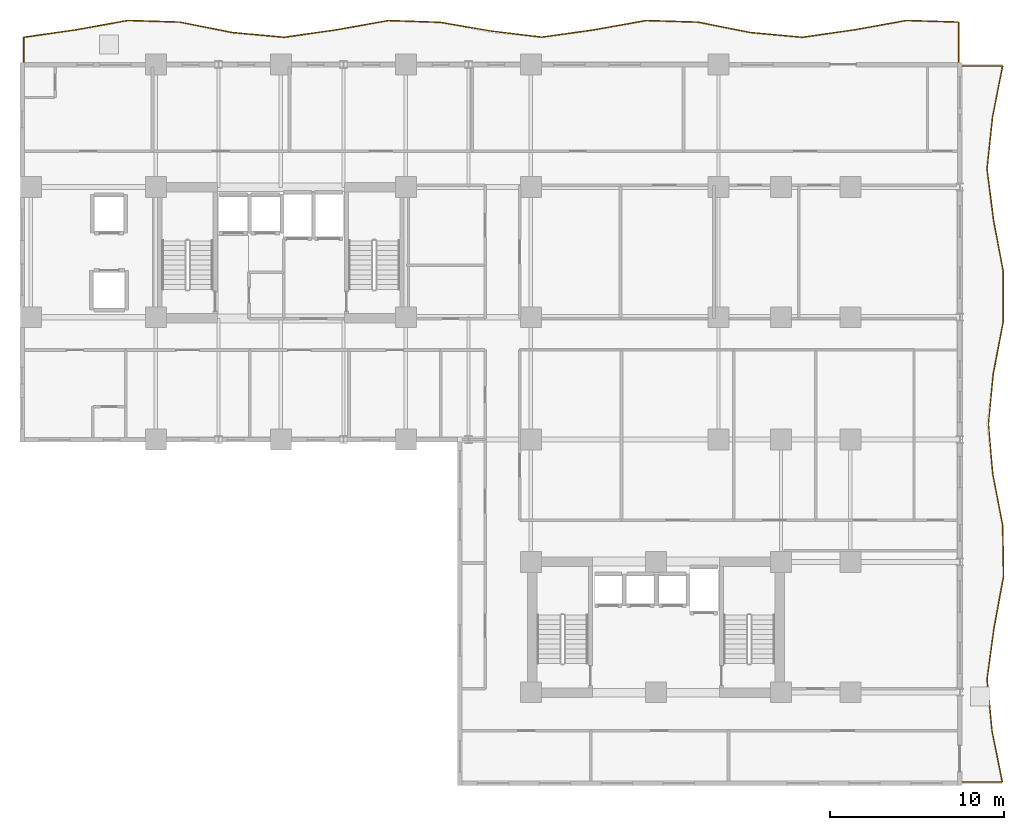
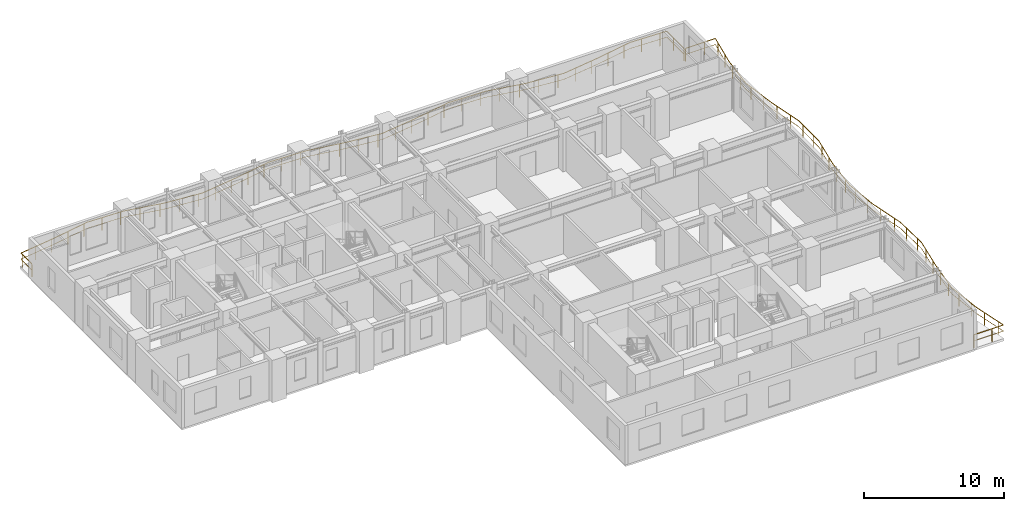
# One storey, part 11 of 11: 2 railings.
"""IFC4 building model written with IfcOpenShell, lengths in metres."""

from ifc_helpers import new_model, si_unit, direction, frame, origin, origin_2d, place, context, subcontext, project, spatial, rectangle, extrude, material, type_object, element, save


model = new_model("IFC4")

# Units and contexts
model_context = context("Model", 3, precision=1e-05, world=origin(), true_north=direction((0.0, 1.0)))
body_context = subcontext(model_context, "Body", "Model", "MODEL_VIEW")
ifc_project = project(units=[si_unit("LENGTHUNIT", "METRE"), si_unit("AREAUNIT", "SQUARE_METRE"), si_unit("VOLUMEUNIT", "CUBIC_METRE"), si_unit("PLANEANGLEUNIT", "RADIAN"), si_unit("MASSUNIT", "GRAM", prefix="KILO")], contexts=[model_context])

# Site, building, storey
site_placement = place(None, origin())
site = spatial("IfcSite", under=ifc_project, at=site_placement, CompositionType="ELEMENT")
building_placement = place(site_placement, origin())
building = spatial("IfcBuilding", under=site, at=building_placement, Name="Kaliganga Portal Commons", CompositionType="ELEMENT")
storey_placement = place(building_placement, frame((0.0, 0.0, 100.800048828125)))
storey = spatial("IfcBuildingStorey", under=building, at=storey_placement, Name="L25", CompositionType="ELEMENT", Elevation=100.800048828125)

# Railings
ifc_material = material(Name="Laminated Safety Glass and Stainless Steel 316", Category="steel")
railing_type = type_object("IfcRailingType", Name="RLG-BAL-1150", PredefinedType="BALUSTRADE", material=ifc_material)
railing_1_placement = place(storey_placement, frame((60.6201171875, 43.20556640625, 0.0)))
element("IfcRailing", 1, at=railing_1_placement, inside=storey, type_object=railing_type, Name="Balcony Guardrail L25 balc_north", PredefinedType="BALUSTRADE", context=body_context, shape_type="SweptSolid", body=[
    extrude(rectangle(XDim=0.048095703125, YDim=0.048095703125, at=origin_2d()), frame((0.0, 0.0, 1.1259765625), z_axis=(0.0, 1.0, 0.0), x_axis=(-1.0, 0.0, 0.0)), (0.0, 0.0, 1.0), 2.441162109375),
    extrude(rectangle(XDim=0.028076171875, YDim=0.028076171875, at=origin_2d()), frame((0.0, 0.0, 0.597900390625), z_axis=(0.0, 1.0, 0.0), x_axis=(-1.0, 0.0, 0.0)), (0.0, 0.0, 1.0), 2.441162109375),
    extrude(rectangle(XDim=0.048095703125, YDim=0.048095703125, at=origin_2d()), frame((0.0, 2.441162109375, 1.1259765625), z_axis=(-0.999501865696, 0.031559791983, 0.0), x_axis=(-0.031559791983, -0.999501865696, 0.0)), (0.0, 0.0, 1.0), 3.00146484375),
    extrude(rectangle(XDim=0.028076171875, YDim=0.028076171875, at=origin_2d()), frame((0.0, 2.441162109375, 0.597900390625), z_axis=(-0.999501865696, 0.031559791983, 0.0), x_axis=(-0.031559791983, -0.999501865696, 0.0)), (0.0, 0.0, 1.0), 3.00146484375),
    extrude(rectangle(XDim=0.048095703125, YDim=0.048095703125, at=origin_2d()), frame((-3.0, 2.535888671875, 1.1259765625), z_axis=(-0.984153147736, -0.177320562263, 0.0), x_axis=(0.177320562263, -0.984153147736, 0.0)), (0.0, 0.0, 1.0), 3.04833984375),
    extrude(rectangle(XDim=0.028076171875, YDim=0.028076171875, at=origin_2d()), frame((-3.0, 2.535888671875, 0.597900390625), z_axis=(-0.984153147736, -0.177320562263, 0.0), x_axis=(0.177320562263, -0.984153147736, 0.0)), (0.0, 0.0, 1.0), 3.04833984375),
    extrude(rectangle(XDim=0.048095703125, YDim=0.048095703125, at=origin_2d()), frame((-6.0, 1.995361328125, 1.1259765625), z_axis=(-0.989954326844, -0.141387519825, 0.0), x_axis=(0.141387519825, -0.989954326844, 0.0)), (0.0, 0.0, 1.0), 3.030517578125),
    extrude(rectangle(XDim=0.028076171875, YDim=0.028076171875, at=origin_2d()), frame((-6.0, 1.995361328125, 0.597900390625), z_axis=(-0.989954326844, -0.141387519825, 0.0), x_axis=(0.141387519825, -0.989954326844, 0.0)), (0.0, 0.0, 1.0), 3.030517578125),
    extrude(rectangle(XDim=0.048095703125, YDim=0.048095703125, at=origin_2d()), frame((-9.0, 1.56689453125, 1.1259765625), z_axis=(-0.995820483332, 0.091332168352, 0.0), x_axis=(-0.091332168352, -0.995820483332, 0.0)), (0.0, 0.0, 1.0), 3.0126953125),
    extrude(rectangle(XDim=0.028076171875, YDim=0.028076171875, at=origin_2d()), frame((-9.0, 1.56689453125, 0.597900390625), z_axis=(-0.995820483332, 0.091332168352, 0.0), x_axis=(-0.091332168352, -0.995820483332, 0.0)), (0.0, 0.0, 1.0), 3.0126953125),
    extrude(rectangle(XDim=0.048095703125, YDim=0.048095703125, at=origin_2d()), frame((-12.0, 1.842041015625, 1.1259765625), z_axis=(-0.980758318904, 0.195225817711, 0.0), x_axis=(-0.195225817711, -0.980758318904, 0.0)), (0.0, 0.0, 1.0), 3.058837890625),
    extrude(rectangle(XDim=0.028076171875, YDim=0.028076171875, at=origin_2d()), frame((-12.0, 1.842041015625, 0.597900390625), z_axis=(-0.980758318904, 0.195225817711, 0.0), x_axis=(-0.195225817711, -0.980758318904, 0.0)), (0.0, 0.0, 1.0), 3.058837890625),
    extrude(rectangle(XDim=0.048095703125, YDim=0.048095703125, at=origin_2d()), frame((-15.0, 2.439208984375, 1.1259765625), z_axis=(-0.999519664647, 0.030990966165, 0.0), x_axis=(-0.030990966165, -0.999519664647, 0.0)), (0.0, 0.0, 1.0), 3.00146484375),
    extrude(rectangle(XDim=0.028076171875, YDim=0.028076171875, at=origin_2d()), frame((-15.0, 2.439208984375, 0.597900390625), z_axis=(-0.999519664647, 0.030990966165, 0.0), x_axis=(-0.030990966165, -0.999519664647, 0.0)), (0.0, 0.0, 1.0), 3.00146484375),
    extrude(rectangle(XDim=0.048095703125, YDim=0.048095703125, at=origin_2d()), frame((-18.0, 2.5322265625, 1.1259765625), z_axis=(-0.984306544879, -0.176467066924, 0.0), x_axis=(0.176467066924, -0.984306544879, 0.0)), (0.0, 0.0, 1.0), 3.0478515625),
    extrude(rectangle(XDim=0.028076171875, YDim=0.028076171875, at=origin_2d()), frame((-18.0, 2.5322265625, 0.597900390625), z_axis=(-0.984306544879, -0.176467066924, 0.0), x_axis=(0.176467066924, -0.984306544879, 0.0)), (0.0, 0.0, 1.0), 3.0478515625),
    extrude(rectangle(XDim=0.048095703125, YDim=0.048095703125, at=origin_2d()), frame((-21.0, 1.994384765625, 1.1259765625), z_axis=(-0.990331118511, -0.138723738805, 0.0), x_axis=(0.138723738805, -0.990331118511, 0.0)), (0.0, 0.0, 1.0), 3.02880859375),
    extrude(rectangle(XDim=0.028076171875, YDim=0.028076171875, at=origin_2d()), frame((-21.0, 1.994384765625, 0.597900390625), z_axis=(-0.990331118511, -0.138723738805, 0.0), x_axis=(0.138723738805, -0.990331118511, 0.0)), (0.0, 0.0, 1.0), 3.02880859375),
    extrude(rectangle(XDim=0.048095703125, YDim=0.048095703125, at=origin_2d()), frame((-23.99951171875, 1.57421875, 1.1259765625), z_axis=(-0.992999637098, 0.11811740229, 0.0), x_axis=(-0.11811740229, -0.992999637098, 0.0)), (0.0, 0.0, 1.0), 2.941162109375),
    extrude(rectangle(XDim=0.028076171875, YDim=0.028076171875, at=origin_2d()), frame((-23.99951171875, 1.57421875, 0.597900390625), z_axis=(-0.992999637098, 0.11811740229, 0.0), x_axis=(-0.11811740229, -0.992999637098, 0.0)), (0.0, 0.0, 1.0), 2.941162109375),
    extrude(rectangle(XDim=0.048095703125, YDim=0.048095703125, at=origin_2d()), frame((-26.920166015625, 1.921630859375, 1.1259765625), z_axis=(-0.985293235579, 0.170871998648, 0.0), x_axis=(-0.170871998648, -0.985293235579, 0.0)), (0.0, 0.0, 1.0), 2.96484375),
    extrude(rectangle(XDim=0.028076171875, YDim=0.028076171875, at=origin_2d()), frame((-26.920166015625, 1.921630859375, 0.597900390625), z_axis=(-0.985293235579, 0.170871998648, 0.0), x_axis=(-0.170871998648, -0.985293235579, 0.0)), (0.0, 0.0, 1.0), 2.96484375),
    extrude(rectangle(XDim=0.048095703125, YDim=0.048095703125, at=origin_2d()), frame((-29.84130859375, 2.42822265625, 1.1259765625), z_axis=(-0.999429908755, 0.033761775509, 0.0), x_axis=(-0.033761775509, -0.999429908755, 0.0)), (0.0, 0.0, 1.0), 3.0009765625),
    extrude(rectangle(XDim=0.028076171875, YDim=0.028076171875, at=origin_2d()), frame((-29.84130859375, 2.42822265625, 0.597900390625), z_axis=(-0.999429908755, 0.033761775509, 0.0), x_axis=(-0.033761775509, -0.999429908755, 0.0)), (0.0, 0.0, 1.0), 3.0009765625),
    extrude(rectangle(XDim=0.048095703125, YDim=0.048095703125, at=origin_2d()), frame((-32.840576171875, 2.529541015625, 1.1259765625), z_axis=(-0.98448200502, -0.175485560068, 0.0), x_axis=(0.175485560068, -0.98448200502, 0.0)), (0.0, 0.0, 1.0), 3.046875),
    extrude(rectangle(XDim=0.028076171875, YDim=0.028076171875, at=origin_2d()), frame((-32.840576171875, 2.529541015625, 0.597900390625), z_axis=(-0.98448200502, -0.175485560068, 0.0), x_axis=(0.175485560068, -0.98448200502, 0.0)), (0.0, 0.0, 1.0), 3.046875),
    extrude(rectangle(XDim=0.048095703125, YDim=0.048095703125, at=origin_2d()), frame((-35.840087890625, 1.994873046875, 1.1259765625), z_axis=(-0.990010631998, -0.140992725097, 0.0), x_axis=(0.140992725097, -0.990010631998, 0.0)), (0.0, 0.0, 1.0), 3.0302734375),
    extrude(rectangle(XDim=0.028076171875, YDim=0.028076171875, at=origin_2d()), frame((-35.840087890625, 1.994873046875, 0.597900390625), z_axis=(-0.990010631998, -0.140992725097, 0.0), x_axis=(0.140992725097, -0.990010631998, 0.0)), (0.0, 0.0, 1.0), 3.0302734375),
    extrude(rectangle(XDim=0.048095703125, YDim=0.048095703125, at=origin_2d()), frame((-38.840087890625, 1.567626953125, 1.1259765625), z_axis=(-0.99584256653, 0.091091068097, 0.0), x_axis=(-0.091091068097, -0.99584256653, 0.0)), (0.0, 0.0, 1.0), 3.012451171875),
    extrude(rectangle(XDim=0.028076171875, YDim=0.028076171875, at=origin_2d()), frame((-38.840087890625, 1.567626953125, 0.597900390625), z_axis=(-0.99584256653, 0.091091068097, 0.0), x_axis=(-0.091091068097, -0.99584256653, 0.0)), (0.0, 0.0, 1.0), 3.012451171875),
    extrude(rectangle(XDim=0.048095703125, YDim=0.048095703125, at=origin_2d()), frame((-41.840087890625, 1.842041015625, 1.1259765625), z_axis=(-0.980681839779, 0.195609634546, 0.0), x_axis=(-0.195609634546, -0.980681839779, 0.0)), (0.0, 0.0, 1.0), 3.05908203125),
    extrude(rectangle(XDim=0.028076171875, YDim=0.028076171875, at=origin_2d()), frame((-41.840087890625, 1.842041015625, 0.597900390625), z_axis=(-0.980681839779, 0.195609634546, 0.0), x_axis=(-0.195609634546, -0.980681839779, 0.0)), (0.0, 0.0, 1.0), 3.05908203125),
    extrude(rectangle(XDim=0.048095703125, YDim=0.048095703125, at=origin_2d()), frame((-44.840087890625, 2.4404296875, 1.1259765625), z_axis=(-0.999496720941, 0.031722308038, 0.0), x_axis=(-0.031722308038, -0.999496720941, 0.0)), (0.0, 0.0, 1.0), 3.00146484375),
    extrude(rectangle(XDim=0.028076171875, YDim=0.028076171875, at=origin_2d()), frame((-44.840087890625, 2.4404296875, 0.597900390625), z_axis=(-0.999496720941, 0.031722308038, 0.0), x_axis=(-0.031722308038, -0.999496720941, 0.0)), (0.0, 0.0, 1.0), 3.00146484375),
    extrude(rectangle(XDim=0.048095703125, YDim=0.048095703125, at=origin_2d()), frame((-47.840087890625, 2.53564453125, 1.1259765625), z_axis=(-0.984167121533, -0.177242988277, 0.0), x_axis=(0.177242988277, -0.984167121533, 0.0)), (0.0, 0.0, 1.0), 3.04833984375),
    extrude(rectangle(XDim=0.028076171875, YDim=0.028076171875, at=origin_2d()), frame((-47.840087890625, 2.53564453125, 0.597900390625), z_axis=(-0.984167121533, -0.177242988277, 0.0), x_axis=(0.177242988277, -0.984167121533, 0.0)), (0.0, 0.0, 1.0), 3.04833984375),
    extrude(rectangle(XDim=0.048095703125, YDim=0.048095703125, at=origin_2d()), frame((-50.840087890625, 1.995361328125, 1.1259765625), z_axis=(-0.989943047691, -0.141466470682, 0.0), x_axis=(0.141466470682, -0.989943047691, 0.0)), (0.0, 0.0, 1.0), 3.030517578125),
    extrude(rectangle(XDim=0.028076171875, YDim=0.028076171875, at=origin_2d()), frame((-50.840087890625, 1.995361328125, 0.597900390625), z_axis=(-0.989943047691, -0.141466470682, 0.0), x_axis=(0.141466470682, -0.989943047691, 0.0)), (0.0, 0.0, 1.0), 3.030517578125),
    extrude(rectangle(XDim=0.048095703125, YDim=0.048095703125, at=origin_2d()), frame((-53.840087890625, 1.566650390625, 1.1259765625), z_axis=(-0.000155836059, -0.999999987858, 0.0), x_axis=(0.999999987858, -0.000155836059, 0.0)), (0.0, 0.0, 1.0), 1.566650390625),
    extrude(rectangle(XDim=0.028076171875, YDim=0.028076171875, at=origin_2d()), frame((-53.840087890625, 1.566650390625, 0.597900390625), z_axis=(-0.000155836059, -0.999999987858, 0.0), x_axis=(0.999999987858, -0.000155836059, 0.0)), (0.0, 0.0, 1.0), 1.566650390625),
    extrude(rectangle(XDim=0.0419921875, YDim=0.0419921875, at=origin_2d()), origin(), (0.0, 0.0, 1.0), 1.101806640625),
    extrude(rectangle(XDim=0.0419921875, YDim=0.0419921875, at=origin_2d()), frame((0.0, 1.5, 0.0)), (0.0, 0.0, 1.0), 1.101806640625),
    extrude(rectangle(XDim=0.0419921875, YDim=0.0419921875, at=origin_2d()), frame((-0.55859375, 2.458740234375, 0.0)), (0.0, 0.0, 1.0), 1.101806640625),
    extrude(rectangle(XDim=0.0419921875, YDim=0.0419921875, at=origin_2d()), frame((-2.057861328125, 2.506103515625, 0.0)), (0.0, 0.0, 1.0), 1.101806640625),
    extrude(rectangle(XDim=0.0419921875, YDim=0.0419921875, at=origin_2d()), frame((-3.548583984375, 2.43701171875, 0.0)), (0.0, 0.0, 1.0), 1.101806640625),
    extrude(rectangle(XDim=0.0419921875, YDim=0.0419921875, at=origin_2d()), frame((-5.024658203125, 2.171142578125, 0.0)), (0.0, 0.0, 1.0), 1.101806640625),
    extrude(rectangle(XDim=0.0419921875, YDim=0.0419921875, at=origin_2d()), frame((-6.50390625, 1.92333984375, 0.0)), (0.0, 0.0, 1.0), 1.101806640625),
    extrude(rectangle(XDim=0.0419921875, YDim=0.0419921875, at=origin_2d()), frame((-7.98876953125, 1.71142578125, 0.0)), (0.0, 0.0, 1.0), 1.101806640625),
    extrude(rectangle(XDim=0.0419921875, YDim=0.0419921875, at=origin_2d()), frame((-9.4765625, 1.610595703125, 0.0)), (0.0, 0.0, 1.0), 1.101806640625),
    extrude(rectangle(XDim=0.0419921875, YDim=0.0419921875, at=origin_2d()), frame((-10.97021484375, 1.74755859375, 0.0)), (0.0, 0.0, 1.0), 1.101806640625),
    extrude(rectangle(XDim=0.0419921875, YDim=0.0419921875, at=origin_2d()), frame((-12.45703125, 1.93310546875, 0.0)), (0.0, 0.0, 1.0), 1.101806640625),
    extrude(rectangle(XDim=0.0419921875, YDim=0.0419921875, at=origin_2d()), frame((-13.92822265625, 2.225830078125, 0.0)), (0.0, 0.0, 1.0), 1.101806640625),
    extrude(rectangle(XDim=0.0419921875, YDim=0.0419921875, at=origin_2d()), frame((-15.406982421875, 2.451904296875, 0.0)), (0.0, 0.0, 1.0), 1.101806640625),
    extrude(rectangle(XDim=0.0419921875, YDim=0.0419921875, at=origin_2d()), frame((-16.90625, 2.498291015625, 0.0)), (0.0, 0.0, 1.0), 1.101806640625),
    extrude(rectangle(XDim=0.0419921875, YDim=0.0419921875, at=origin_2d()), frame((-18.3994140625, 2.460693359375, 0.0)), (0.0, 0.0, 1.0), 1.101806640625),
    extrude(rectangle(XDim=0.0419921875, YDim=0.0419921875, at=origin_2d()), frame((-19.875732421875, 2.196044921875, 0.0)), (0.0, 0.0, 1.0), 1.101806640625),
    extrude(rectangle(XDim=0.0419921875, YDim=0.0419921875, at=origin_2d()), frame((-21.3544921875, 1.94482421875, 0.0)), (0.0, 0.0, 1.0), 1.101806640625),
    extrude(rectangle(XDim=0.0419921875, YDim=0.0419921875, at=origin_2d()), frame((-22.83984375, 1.736572265625, 0.0)), (0.0, 0.0, 1.0), 1.101806640625),
    extrude(rectangle(XDim=0.0419921875, YDim=0.0419921875, at=origin_2d()), frame((-24.326171875, 1.613037109375, 0.0)), (0.0, 0.0, 1.0), 1.101806640625),
    extrude(rectangle(XDim=0.0419921875, YDim=0.0419921875, at=origin_2d()), frame((-25.815673828125, 1.790283203125, 0.0)), (0.0, 0.0, 1.0), 1.101806640625),
    extrude(rectangle(XDim=0.0419921875, YDim=0.0419921875, at=origin_2d()), frame((-27.30224609375, 1.98779296875, 0.0)), (0.0, 0.0, 1.0), 1.101806640625),
    extrude(rectangle(XDim=0.0419921875, YDim=0.0419921875, at=origin_2d()), frame((-28.7802734375, 2.244140625, 0.0)), (0.0, 0.0, 1.0), 1.101806640625),
    extrude(rectangle(XDim=0.0419921875, YDim=0.0419921875, at=origin_2d()), frame((-30.26416015625, 2.442626953125, 0.0)), (0.0, 0.0, 1.0), 1.101806640625),
    extrude(rectangle(XDim=0.0419921875, YDim=0.0419921875, at=origin_2d()), frame((-31.76318359375, 2.4931640625, 0.0)), (0.0, 0.0, 1.0), 1.101806640625),
    extrude(rectangle(XDim=0.0419921875, YDim=0.0419921875, at=origin_2d()), frame((-33.256103515625, 2.45556640625, 0.0)), (0.0, 0.0, 1.0), 1.101806640625),
    extrude(rectangle(XDim=0.0419921875, YDim=0.0419921875, at=origin_2d()), frame((-34.73291015625, 2.192138671875, 0.0)), (0.0, 0.0, 1.0), 1.101806640625),
    extrude(rectangle(XDim=0.0419921875, YDim=0.0419921875, at=origin_2d()), frame((-36.211669921875, 1.94189453125, 0.0)), (0.0, 0.0, 1.0), 1.101806640625),
    extrude(rectangle(XDim=0.0419921875, YDim=0.0419921875, at=origin_2d()), frame((-37.69677734375, 1.73046875, 0.0)), (0.0, 0.0, 1.0), 1.101806640625),
    extrude(rectangle(XDim=0.0419921875, YDim=0.0419921875, at=origin_2d()), frame((-39.18359375, 1.59912109375, 0.0)), (0.0, 0.0, 1.0), 1.101806640625),
    extrude(rectangle(XDim=0.0419921875, YDim=0.0419921875, at=origin_2d()), frame((-40.677490234375, 1.735595703125, 0.0)), (0.0, 0.0, 1.0), 1.101806640625),
    extrude(rectangle(XDim=0.0419921875, YDim=0.0419921875, at=origin_2d()), frame((-42.166259765625, 1.906982421875, 0.0)), (0.0, 0.0, 1.0), 1.101806640625),
    extrude(rectangle(XDim=0.0419921875, YDim=0.0419921875, at=origin_2d()), frame((-43.63720703125, 2.200439453125, 0.0)), (0.0, 0.0, 1.0), 1.101806640625),
    extrude(rectangle(XDim=0.0419921875, YDim=0.0419921875, at=origin_2d()), frame((-45.11328125, 2.44921875, 0.0)), (0.0, 0.0, 1.0), 1.101806640625),
    extrude(rectangle(XDim=0.0419921875, YDim=0.0419921875, at=origin_2d()), frame((-46.612548828125, 2.49658203125, 0.0)), (0.0, 0.0, 1.0), 1.101806640625),
    extrude(rectangle(XDim=0.0419921875, YDim=0.0419921875, at=origin_2d()), frame((-48.107666015625, 2.487548828125, 0.0)), (0.0, 0.0, 1.0), 1.101806640625),
    extrude(rectangle(XDim=0.0419921875, YDim=0.0419921875, at=origin_2d()), frame((-49.583984375, 2.2216796875, 0.0)), (0.0, 0.0, 1.0), 1.101806640625),
    extrude(rectangle(XDim=0.0419921875, YDim=0.0419921875, at=origin_2d()), frame((-51.0615234375, 1.963623046875, 0.0)), (0.0, 0.0, 1.0), 1.101806640625),
    extrude(rectangle(XDim=0.0419921875, YDim=0.0419921875, at=origin_2d()), frame((-52.54638671875, 1.75146484375, 0.0)), (0.0, 0.0, 1.0), 1.101806640625),
    extrude(rectangle(XDim=0.0419921875, YDim=0.0419921875, at=origin_2d()), frame((-53.840087890625, 1.37353515625, 0.0)), (0.0, 0.0, 1.0), 1.101806640625),
    extrude(rectangle(XDim=0.0419921875, YDim=0.0419921875, at=origin_2d()), frame((-53.84033203125, 0.0, 0.0)), (0.0, 0.0, 1.0), 1.101806640625),
])
railing_2_placement = place(storey_placement, frame((60.70703125, 1.879638671875, 0.0)))
element("IfcRailing", 2, at=railing_2_placement, inside=storey, type_object=railing_type, Name="Balcony Guardrail L25 balc_east", PredefinedType="BALUSTRADE", context=body_context, shape_type="SweptSolid", body=[
    extrude(rectangle(XDim=0.048095703125, YDim=0.048095703125, at=origin_2d()), frame((0.0, 0.0, 1.1259765625), z_axis=(0.99999999499, 0.0001001001, 0.0), x_axis=(-0.0001001001, 0.99999999499, 0.0)), (0.0, 0.0, 1.0), 2.43896484375),
    extrude(rectangle(XDim=0.028076171875, YDim=0.028076171875, at=origin_2d()), frame((0.0, 0.0, 0.597900390625), z_axis=(0.99999999499, 0.0001001001, 0.0), x_axis=(-0.0001001001, 0.99999999499, 0.0)), (0.0, 0.0, 1.0), 2.43896484375),
    extrude(rectangle(XDim=0.048095703125, YDim=0.048095703125, at=origin_2d()), frame((2.43896484375, 0.000244140625, 1.1259765625), z_axis=(-0.195758035689, 0.980652227583, 0.0), x_axis=(-0.980652227583, -0.195758035689, 0.0)), (0.0, 0.0, 1.0), 3.015625),
    extrude(rectangle(XDim=0.028076171875, YDim=0.028076171875, at=origin_2d()), frame((2.43896484375, 0.000244140625, 0.597900390625), z_axis=(-0.195758035689, 0.980652227583, 0.0), x_axis=(-0.980652227583, -0.195758035689, 0.0)), (0.0, 0.0, 1.0), 3.015625),
    extrude(rectangle(XDim=0.048095703125, YDim=0.048095703125, at=origin_2d()), frame((1.8486328125, 2.95751953125, 1.1259765625), z_axis=(-0.09615085245, 0.995366773392, 0.0), x_axis=(-0.995366773392, -0.09615085245, 0.0)), (0.0, 0.0, 1.0), 2.970703125),
    extrude(rectangle(XDim=0.028076171875, YDim=0.028076171875, at=origin_2d()), frame((1.8486328125, 2.95751953125, 0.597900390625), z_axis=(-0.09615085245, 0.995366773392, 0.0), x_axis=(-0.995366773392, -0.09615085245, 0.0)), (0.0, 0.0, 1.0), 2.970703125),
    extrude(rectangle(XDim=0.048095703125, YDim=0.048095703125, at=origin_2d()), frame((1.56298828125, 5.91455078125, 1.1259765625), z_axis=(0.135051149595, 0.990838628129, 0.0), x_axis=(-0.990838628129, 0.135051149595, 0.0)), (0.0, 0.0, 1.0), 2.984619140625),
    extrude(rectangle(XDim=0.028076171875, YDim=0.028076171875, at=origin_2d()), frame((1.56298828125, 5.91455078125, 0.597900390625), z_axis=(0.135051149595, 0.990838628129, 0.0), x_axis=(-0.990838628129, 0.135051149595, 0.0)), (0.0, 0.0, 1.0), 2.984619140625),
    extrude(rectangle(XDim=0.048095703125, YDim=0.048095703125, at=origin_2d()), frame((1.966064453125, 8.871826171875, 1.1259765625), z_axis=(0.181621160981, 0.98336857479, 0.0), x_axis=(-0.98336857479, 0.181621160981, 0.0)), (0.0, 0.0, 1.0), 3.007080078125),
    extrude(rectangle(XDim=0.028076171875, YDim=0.028076171875, at=origin_2d()), frame((1.966064453125, 8.871826171875, 0.597900390625), z_axis=(0.181621160981, 0.98336857479, 0.0), x_axis=(-0.98336857479, 0.181621160981, 0.0)), (0.0, 0.0, 1.0), 3.007080078125),
    extrude(rectangle(XDim=0.048095703125, YDim=0.048095703125, at=origin_2d()), frame((2.51220703125, 11.828857421875, 1.1259765625), z_axis=(-0.01634658941, 0.999866385581, 0.0), x_axis=(-0.999866385581, -0.01634658941, 0.0)), (0.0, 0.0, 1.0), 2.957275390625),
    extrude(rectangle(XDim=0.028076171875, YDim=0.028076171875, at=origin_2d()), frame((2.51220703125, 11.828857421875, 0.597900390625), z_axis=(-0.01634658941, 0.999866385581, 0.0), x_axis=(-0.999866385581, -0.01634658941, 0.0)), (0.0, 0.0, 1.0), 2.957275390625),
    extrude(rectangle(XDim=0.048095703125, YDim=0.048095703125, at=origin_2d()), frame((2.4638671875, 14.78564453125, 1.1259765625), z_axis=(-0.190674449267, 0.981653326993, 0.0), x_axis=(-0.981653326993, -0.190674449267, 0.0)), (0.0, 0.0, 1.0), 3.0126953125),
    extrude(rectangle(XDim=0.028076171875, YDim=0.028076171875, at=origin_2d()), frame((2.4638671875, 14.78564453125, 0.597900390625), z_axis=(-0.190674449267, 0.981653326993, 0.0), x_axis=(-0.981653326993, -0.190674449267, 0.0)), (0.0, 0.0, 1.0), 3.0126953125),
    extrude(rectangle(XDim=0.048095703125, YDim=0.048095703125, at=origin_2d()), frame((1.889404296875, 17.7431640625, 1.1259765625), z_axis=(-0.087067331522, 0.996202429118, 0.0), x_axis=(-0.996202429118, -0.087067331522, 0.0)), (0.0, 0.0, 1.0), 2.88818359375),
    extrude(rectangle(XDim=0.028076171875, YDim=0.028076171875, at=origin_2d()), frame((1.889404296875, 17.7431640625, 0.597900390625), z_axis=(-0.087067331522, 0.996202429118, 0.0), x_axis=(-0.996202429118, -0.087067331522, 0.0)), (0.0, 0.0, 1.0), 2.88818359375),
    extrude(rectangle(XDim=0.048095703125, YDim=0.048095703125, at=origin_2d()), frame((1.637939453125, 20.620361328125, 1.1259765625), z_axis=(0.097287675922, 0.995256302725, 0.0), x_axis=(-0.995256302725, 0.097287675922, 0.0)), (0.0, 0.0, 1.0), 2.890869140625),
    extrude(rectangle(XDim=0.028076171875, YDim=0.028076171875, at=origin_2d()), frame((1.637939453125, 20.620361328125, 0.597900390625), z_axis=(0.097287675922, 0.995256302725, 0.0), x_axis=(-0.995256302725, 0.097287675922, 0.0)), (0.0, 0.0, 1.0), 2.890869140625),
    extrude(rectangle(XDim=0.048095703125, YDim=0.048095703125, at=origin_2d()), frame((1.919189453125, 23.49755859375, 1.1259765625), z_axis=(0.187548028569, 0.982255433673, 0.0), x_axis=(-0.982255433673, 0.187548028569, 0.0)), (0.0, 0.0, 1.0), 3.010986328125),
    extrude(rectangle(XDim=0.028076171875, YDim=0.028076171875, at=origin_2d()), frame((1.919189453125, 23.49755859375, 0.597900390625), z_axis=(0.187548028569, 0.982255433673, 0.0), x_axis=(-0.982255433673, 0.187548028569, 0.0)), (0.0, 0.0, 1.0), 3.010986328125),
    extrude(rectangle(XDim=0.048095703125, YDim=0.048095703125, at=origin_2d()), frame((2.48388671875, 26.455078125, 1.1259765625), z_axis=(0.00371560477, 0.999993097117, 0.0), x_axis=(-0.999993097117, 0.00371560477, 0.0)), (0.0, 0.0, 1.0), 2.956787109375),
    extrude(rectangle(XDim=0.028076171875, YDim=0.028076171875, at=origin_2d()), frame((2.48388671875, 26.455078125, 0.597900390625), z_axis=(0.00371560477, 0.999993097117, 0.0), x_axis=(-0.999993097117, 0.00371560477, 0.0)), (0.0, 0.0, 1.0), 2.956787109375),
    extrude(rectangle(XDim=0.048095703125, YDim=0.048095703125, at=origin_2d()), frame((2.494873046875, 29.411865234375, 1.1259765625), z_axis=(-0.186168942481, 0.982517747858, 0.0), x_axis=(-0.982517747858, -0.186168942481, 0.0)), (0.0, 0.0, 1.0), 3.009765625),
    extrude(rectangle(XDim=0.028076171875, YDim=0.028076171875, at=origin_2d()), frame((2.494873046875, 29.411865234375, 0.597900390625), z_axis=(-0.186168942481, 0.982517747858, 0.0), x_axis=(-0.982517747858, -0.186168942481, 0.0)), (0.0, 0.0, 1.0), 3.009765625),
    extrude(rectangle(XDim=0.048095703125, YDim=0.048095703125, at=origin_2d()), frame((1.9345703125, 32.368896484375, 1.1259765625), z_axis=(-0.125637327584, 0.992076237956, 0.0), x_axis=(-0.992076237956, -0.125637327584, 0.0)), (0.0, 0.0, 1.0), 2.98095703125),
    extrude(rectangle(XDim=0.028076171875, YDim=0.028076171875, at=origin_2d()), frame((1.9345703125, 32.368896484375, 0.597900390625), z_axis=(-0.125637327584, 0.992076237956, 0.0), x_axis=(-0.992076237956, -0.125637327584, 0.0)), (0.0, 0.0, 1.0), 2.98095703125),
    extrude(rectangle(XDim=0.048095703125, YDim=0.048095703125, at=origin_2d()), frame((1.56005859375, 35.326171875, 1.1259765625), z_axis=(0.106962088755, 0.994263099772, 0.0), x_axis=(-0.994263099772, 0.106962088755, 0.0)), (0.0, 0.0, 1.0), 2.97412109375),
    extrude(rectangle(XDim=0.028076171875, YDim=0.028076171875, at=origin_2d()), frame((1.56005859375, 35.326171875, 0.597900390625), z_axis=(0.106962088755, 0.994263099772, 0.0), x_axis=(-0.994263099772, 0.106962088755, 0.0)), (0.0, 0.0, 1.0), 2.97412109375),
    extrude(rectangle(XDim=0.048095703125, YDim=0.048095703125, at=origin_2d()), frame((1.878173828125, 38.283203125, 1.1259765625), z_axis=(0.193420688779, 0.981115914228, 0.0), x_axis=(-0.981115914228, 0.193420688779, 0.0)), (0.0, 0.0, 1.0), 3.01416015625),
    extrude(rectangle(XDim=0.028076171875, YDim=0.028076171875, at=origin_2d()), frame((1.878173828125, 38.283203125, 0.597900390625), z_axis=(0.193420688779, 0.981115914228, 0.0), x_axis=(-0.981115914228, 0.193420688779, 0.0)), (0.0, 0.0, 1.0), 3.01416015625),
    extrude(rectangle(XDim=0.048095703125, YDim=0.048095703125, at=origin_2d()), frame((2.461181640625, 41.240478515625, 1.1259765625), z_axis=(-0.99999999508, 9.9196508e-05, 0.0), x_axis=(-9.9196508e-05, -0.99999999508, 0.0)), (0.0, 0.0, 1.0), 2.461181640625),
    extrude(rectangle(XDim=0.028076171875, YDim=0.028076171875, at=origin_2d()), frame((2.461181640625, 41.240478515625, 0.597900390625), z_axis=(-0.99999999508, 9.9196508e-05, 0.0), x_axis=(-9.9196508e-05, -0.99999999508, 0.0)), (0.0, 0.0, 1.0), 2.461181640625),
    extrude(rectangle(XDim=0.0419921875, YDim=0.0419921875, at=origin_2d()), origin(), (0.0, 0.0, 1.0), 1.101806640625),
    extrude(rectangle(XDim=0.0419921875, YDim=0.0419921875, at=origin_2d()), frame((1.5, 0.000244140625, 0.0)), (0.0, 0.0, 1.0), 1.101806640625),
    extrude(rectangle(XDim=0.0419921875, YDim=0.0419921875, at=origin_2d()), frame((2.3291015625, 0.550537109375, 0.0)), (0.0, 0.0, 1.0), 1.101806640625),
    extrude(rectangle(XDim=0.0419921875, YDim=0.0419921875, at=origin_2d()), frame((2.035400390625, 2.021484375, 0.0)), (0.0, 0.0, 1.0), 1.101806640625),
    extrude(rectangle(XDim=0.0419921875, YDim=0.0419921875, at=origin_2d()), frame((1.796142578125, 3.50048828125, 0.0)), (0.0, 0.0, 1.0), 1.101806640625),
    extrude(rectangle(XDim=0.0419921875, YDim=0.0419921875, at=origin_2d()), frame((1.65185546875, 4.993408203125, 0.0)), (0.0, 0.0, 1.0), 1.101806640625),
    extrude(rectangle(XDim=0.0419921875, YDim=0.0419921875, at=origin_2d()), frame((1.640625, 6.48388671875, 0.0)), (0.0, 0.0, 1.0), 1.101806640625),
    extrude(rectangle(XDim=0.0419921875, YDim=0.0419921875, at=origin_2d()), frame((1.84326171875, 7.97021484375, 0.0)), (0.0, 0.0, 1.0), 1.101806640625),
    extrude(rectangle(XDim=0.0419921875, YDim=0.0419921875, at=origin_2d()), frame((2.0732421875, 9.451904296875, 0.0)), (0.0, 0.0, 1.0), 1.101806640625),
    extrude(rectangle(XDim=0.0419921875, YDim=0.0419921875, at=origin_2d()), frame((2.345703125, 10.927001953125, 0.0)), (0.0, 0.0, 1.0), 1.101806640625),
    extrude(rectangle(XDim=0.0419921875, YDim=0.0419921875, at=origin_2d()), frame((2.502685546875, 12.41162109375, 0.0)), (0.0, 0.0, 1.0), 1.101806640625),
    extrude(rectangle(XDim=0.0419921875, YDim=0.0419921875, at=origin_2d()), frame((2.478271484375, 13.91162109375, 0.0)), (0.0, 0.0, 1.0), 1.101806640625),
    extrude(rectangle(XDim=0.0419921875, YDim=0.0419921875, at=origin_2d()), frame((2.344482421875, 15.39990234375, 0.0)), (0.0, 0.0, 1.0), 1.101806640625),
    extrude(rectangle(XDim=0.0419921875, YDim=0.0419921875, at=origin_2d()), frame((2.05859375, 16.872314453125, 0.0)), (0.0, 0.0, 1.0), 1.101806640625),
    extrude(rectangle(XDim=0.0419921875, YDim=0.0419921875, at=origin_2d()), frame((1.8359375, 18.353759765625, 0.0)), (0.0, 0.0, 1.0), 1.101806640625),
    extrude(rectangle(XDim=0.0419921875, YDim=0.0419921875, at=origin_2d()), frame((1.705322265625, 19.84814453125, 0.0)), (0.0, 0.0, 1.0), 1.101806640625),
    extrude(rectangle(XDim=0.0419921875, YDim=0.0419921875, at=origin_2d()), frame((1.70849609375, 21.341796875, 0.0)), (0.0, 0.0, 1.0), 1.101806640625),
    extrude(rectangle(XDim=0.0419921875, YDim=0.0419921875, at=origin_2d()), frame((1.8544921875, 22.834716796875, 0.0)), (0.0, 0.0, 1.0), 1.101806640625),
    extrude(rectangle(XDim=0.0419921875, YDim=0.0419921875, at=origin_2d()), frame((2.07568359375, 24.316650390625, 0.0)), (0.0, 0.0, 1.0), 1.101806640625),
    extrude(rectangle(XDim=0.0419921875, YDim=0.0419921875, at=origin_2d()), frame((2.35693359375, 25.7900390625, 0.0)), (0.0, 0.0, 1.0), 1.101806640625),
    extrude(rectangle(XDim=0.0419921875, YDim=0.0419921875, at=origin_2d()), frame((2.487060546875, 27.278076171875, 0.0)), (0.0, 0.0, 1.0), 1.101806640625),
    extrude(rectangle(XDim=0.0419921875, YDim=0.0419921875, at=origin_2d()), frame((2.492431640625, 28.778076171875, 0.0)), (0.0, 0.0, 1.0), 1.101806640625),
    extrude(rectangle(XDim=0.0419921875, YDim=0.0419921875, at=origin_2d()), frame((2.333740234375, 30.262939453125, 0.0)), (0.0, 0.0, 1.0), 1.101806640625),
    extrude(rectangle(XDim=0.0419921875, YDim=0.0419921875, at=origin_2d()), frame((2.054443359375, 31.736572265625, 0.0)), (0.0, 0.0, 1.0), 1.101806640625),
    extrude(rectangle(XDim=0.0419921875, YDim=0.0419921875, at=origin_2d()), frame((1.826904296875, 33.218505859375, 0.0)), (0.0, 0.0, 1.0), 1.101806640625),
    extrude(rectangle(XDim=0.0419921875, YDim=0.0419921875, at=origin_2d()), frame((1.638427734375, 34.706787109375, 0.0)), (0.0, 0.0, 1.0), 1.101806640625),
    extrude(rectangle(XDim=0.0419921875, YDim=0.0419921875, at=origin_2d()), frame((1.65380859375, 36.19677734375, 0.0)), (0.0, 0.0, 1.0), 1.101806640625),
    extrude(rectangle(XDim=0.0419921875, YDim=0.0419921875, at=origin_2d()), frame((1.814208984375, 37.688232421875, 0.0)), (0.0, 0.0, 1.0), 1.101806640625),
    extrude(rectangle(XDim=0.0419921875, YDim=0.0419921875, at=origin_2d()), frame((2.052490234375, 39.167724609375, 0.0)), (0.0, 0.0, 1.0), 1.101806640625),
    extrude(rectangle(XDim=0.0419921875, YDim=0.0419921875, at=origin_2d()), frame((2.3427734375, 40.639404296875, 0.0)), (0.0, 0.0, 1.0), 1.101806640625),
    extrude(rectangle(XDim=0.0419921875, YDim=0.0419921875, at=origin_2d()), frame((1.573974609375, 41.240478515625, 0.0)), (0.0, 0.0, 1.0), 1.101806640625),
    extrude(rectangle(XDim=0.0419921875, YDim=0.0419921875, at=origin_2d()), frame((0.0, 41.24072265625, 0.0)), (0.0, 0.0, 1.0), 1.101806640625),
])

save(model, "model.ifc")
